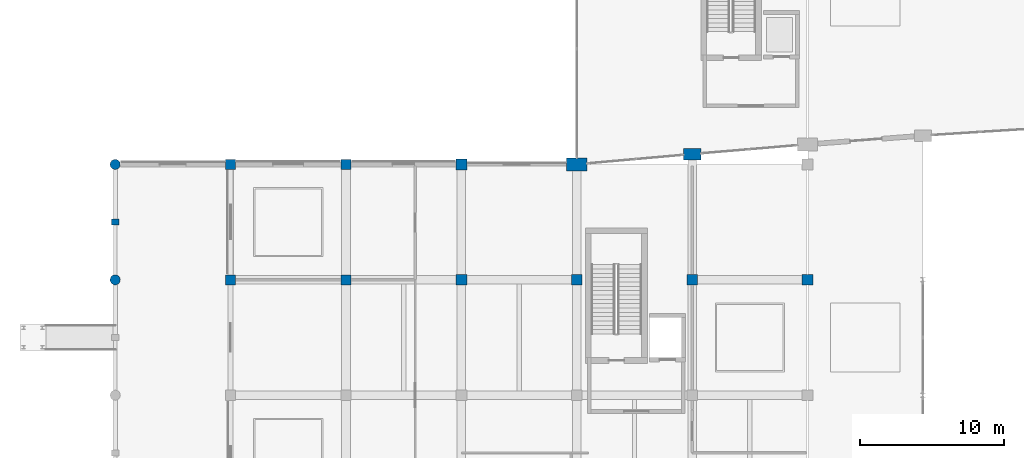
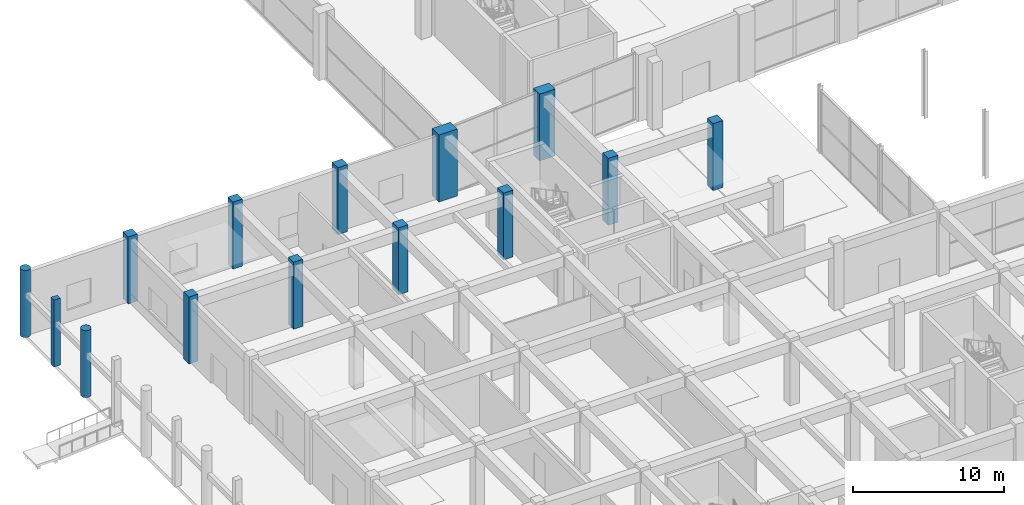
# One storey, part 9 of 86: 14 columns.
"""IFC4 building model written with IfcOpenShell, lengths in metres."""

from ifc_helpers import new_model, si_unit, direction, frame, origin, origin_2d, place, context, subcontext, project, spatial, rectangle, circle, extrude, material, material_profile, profile_set, type_object, element, save


model = new_model("IFC4")

# Units and contexts
model_context = context("Model", 3, precision=1e-05, world=origin(), true_north=direction((0.0, 1.0)))
body_context = subcontext(model_context, "Body", "Model", "MODEL_VIEW")
ifc_project = project(units=[si_unit("LENGTHUNIT", "METRE"), si_unit("AREAUNIT", "SQUARE_METRE"), si_unit("VOLUMEUNIT", "CUBIC_METRE"), si_unit("PLANEANGLEUNIT", "RADIAN"), si_unit("MASSUNIT", "GRAM", prefix="KILO")], contexts=[model_context])

# Site, building, storey
site_placement = place(None, origin())
site = spatial("IfcSite", under=ifc_project, at=site_placement, CompositionType="ELEMENT")
building_placement = place(site_placement, origin())
building = spatial("IfcBuilding", under=site, at=building_placement, Name="Kenh Van Central Station", CompositionType="ELEMENT")
storey_placement = place(building_placement, origin())
storey = spatial("IfcBuildingStorey", under=building, at=storey_placement, Name="L00", CompositionType="ELEMENT", Elevation=0.0)

# Columns
ifc_material_1 = material(Name="Concrete C40/50", Category="concrete")
ifc_material_profile_1 = material_profile(ifc_material_1, rectangle(XDim=1.199951171875, YDim=0.800048828125, at=origin_2d()), Name="RC 1200x800")
ifc_profile_set_1 = profile_set([ifc_material_profile_1], Name="Concrete C40/50")
column_type_1 = type_object("IfcColumnType", Name="COL-PIER-1200x800", PredefinedType="COLUMN", material=ifc_profile_set_1)
column_1_placement = place(storey_placement, frame((40.0, 64.712158203125, 0.0), z_axis=(0.0, 0.0, 1.0), x_axis=(1.0, 0.0, 0.0)))
element("IfcColumn", 1, at=column_1_placement, inside=storey, type_object=column_type_1, Name="L00 column VPI-01-0", PredefinedType="COLUMN", context=body_context, shape_type="SweptSolid", body=[
    extrude(rectangle(XDim=1.199951171875, YDim=0.800048828125, at=origin_2d()), origin(), (0.0, 0.0, 1.0), 5.39990234375),
])
ifc_material_profile_2 = material_profile(ifc_material_1, rectangle(XDim=1.39990234375, YDim=0.89990234375, at=origin_2d()), Name="RC 1400x900")
ifc_profile_set_2 = profile_set([ifc_material_profile_2], Name="Concrete C40/50")
column_type_2 = type_object("IfcColumnType", Name="COL-PIER-1400x900", PredefinedType="COLUMN", material=ifc_profile_set_2)
column_2_placement = place(storey_placement, frame((32.0, 64.0, 0.0), z_axis=(0.0, 0.0, 1.0), x_axis=(1.0, 0.0, 0.0)))
element("IfcColumn", 2, at=column_2_placement, inside=storey, type_object=column_type_2, Name="L00 column VP-00-0", PredefinedType="COLUMN", context=body_context, shape_type="SweptSolid", body=[
    extrude(rectangle(XDim=1.39990234375, YDim=0.89990234375, at=origin_2d()), origin(), (0.0, 0.0, 1.0), 5.39990234375),
])
ifc_material_profile_3 = material_profile(ifc_material_1, rectangle(XDim=0.699951171875, YDim=0.699951171875, at=origin_2d()), Name="RC 700x700")
ifc_profile_set_3 = profile_set([ifc_material_profile_3], Name="Concrete C40/50")
column_type_3 = type_object("IfcColumnType", Name="COL-RC-700x700", PredefinedType="COLUMN", material=ifc_profile_set_3)
for number, where, z_axis, x_axis, name in (
    (3, (8.0, 56.0, 0.0), (0.0, 0.0, 1.0), (1.0, 0.0, 0.0), "L00 column CW-008-056"),
    (4, (8.0, 64.0, 0.0), (0.0, 0.0, 1.0), (1.0, 0.0, 0.0), "L00 column CW-008-064"),
    (5, (16.0, 56.0, 0.0), (0.0, 0.0, 1.0), (1.0, 0.0, 0.0), "L00 column CW-016-056"),
    (6, (16.0, 64.0, 0.0), (0.0, 0.0, 1.0), (1.0, 0.0, 0.0), "L00 column CW-016-064"),
):
    element("IfcColumn", number, at=place(storey_placement, frame(where, z_axis=z_axis, x_axis=x_axis)), inside=storey, type_object=column_type_3, Name=name, PredefinedType="COLUMN", context=body_context, shape_type="SweptSolid", body=[
        extrude(rectangle(XDim=0.699951171875, YDim=0.699951171875, at=origin_2d()), origin(), (0.0, 0.0, 1.0), 5.39990234375),
    ])
ifc_material_profile_4 = material_profile(ifc_material_1, rectangle(XDim=0.75, YDim=0.75, at=origin_2d()), Name="RC 750x750")
ifc_profile_set_4 = profile_set([ifc_material_profile_4], Name="Concrete C40/50")
column_type_4 = type_object("IfcColumnType", Name="COL-RC-750x750", PredefinedType="COLUMN", material=ifc_profile_set_4)
for number, where, z_axis, x_axis, name in (
    (7, (24.0, 56.0, 0.0), (0.0, 0.0, 1.0), (1.0, 0.0, 0.0), "L00 column CW-024-056"),
    (8, (24.0, 64.0, 0.0), (0.0, 0.0, 1.0), (1.0, 0.0, 0.0), "L00 column CW-024-064"),
    (9, (32.0, 56.0, 0.0), (0.0, 0.0, 1.0), (1.0, 0.0, 0.0), "L00 column CW-032-056"),
    (10, (40.0, 56.0, 0.0), (0.0, 0.0, 1.0), (1.0, 0.0, 0.0), "L00 column CW-040-056"),
    (11, (48.0, 56.0, 0.0), (0.0, 0.0, 1.0), (1.0, 0.0, 0.0), "L00 column CW-048-056"),
):
    element("IfcColumn", number, at=place(storey_placement, frame(where, z_axis=z_axis, x_axis=x_axis)), inside=storey, type_object=column_type_4, Name=name, PredefinedType="COLUMN", context=body_context, shape_type="SweptSolid", body=[
        extrude(rectangle(XDim=0.75, YDim=0.75, at=origin_2d()), origin(), (0.0, 0.0, 1.0), 5.39990234375),
    ])
ifc_material_profile_5 = material_profile(ifc_material_1, circle(Radius=0.35009765625, at=origin_2d()), Name="RC D700")
ifc_profile_set_5 = profile_set([ifc_material_profile_5], Name="Concrete C40/50")
column_type_5 = type_object("IfcColumnType", Name="COL-RC-D700", PredefinedType="COLUMN", material=ifc_profile_set_5)
for number, where, z_axis, x_axis, name in (
    (12, (0.0, 56.0, 0.0), (0.0, 0.0, 1.0), (1.0, 0.0, 0.0), "L00 column CW-000-056"),
    (13, (0.0, 64.0, 0.0), (0.0, 0.0, 1.0), (1.0, 0.0, 0.0), "L00 column CW-000-064"),
):
    element("IfcColumn", number, at=place(storey_placement, frame(where, z_axis=z_axis, x_axis=x_axis)), inside=storey, type_object=column_type_5, Name=name, PredefinedType="COLUMN", context=body_context, shape_type="SweptSolid", body=[
        extrude(circle(Radius=0.35009765625, at=origin_2d()), origin(), (0.0, 0.0, 1.0), 5.39990234375),
    ])
ifc_material_2 = material(Name="Concrete C35/45", Category="concrete")
ifc_material_profile_6 = material_profile(ifc_material_2, rectangle(XDim=0.5, YDim=0.39990234375, at=origin_2d()), Name="RC 500x400")
ifc_profile_set_6 = profile_set([ifc_material_profile_6], Name="Concrete C35/45")
column_type_6 = type_object("IfcColumnType", Name="PIL-RC-500x400", PredefinedType="PILASTER", material=ifc_profile_set_6)
column_3_placement = place(storey_placement, frame((0.0, 60.0, 0.0), z_axis=(0.0, 0.0, 1.0), x_axis=(1.0, 0.0, 0.0)))
element("IfcColumn", 14, at=column_3_placement, inside=storey, type_object=column_type_6, Name="L00 column PIL-W-06", PredefinedType="PILASTER", context=body_context, shape_type="SweptSolid", body=[
    extrude(rectangle(XDim=0.5, YDim=0.39990234375, at=origin_2d()), origin(), (0.0, 0.0, 1.0), 5.39990234375),
])

save(model, "model.ifc")
